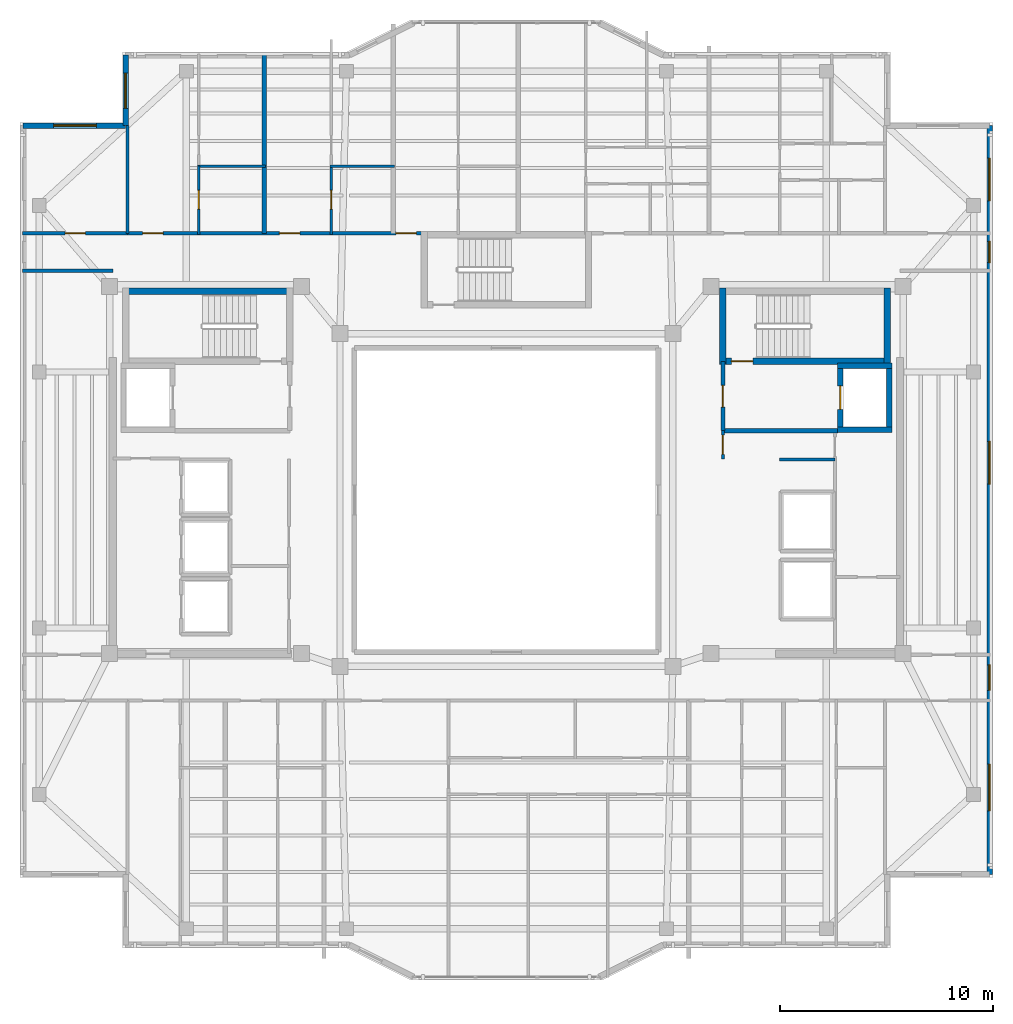
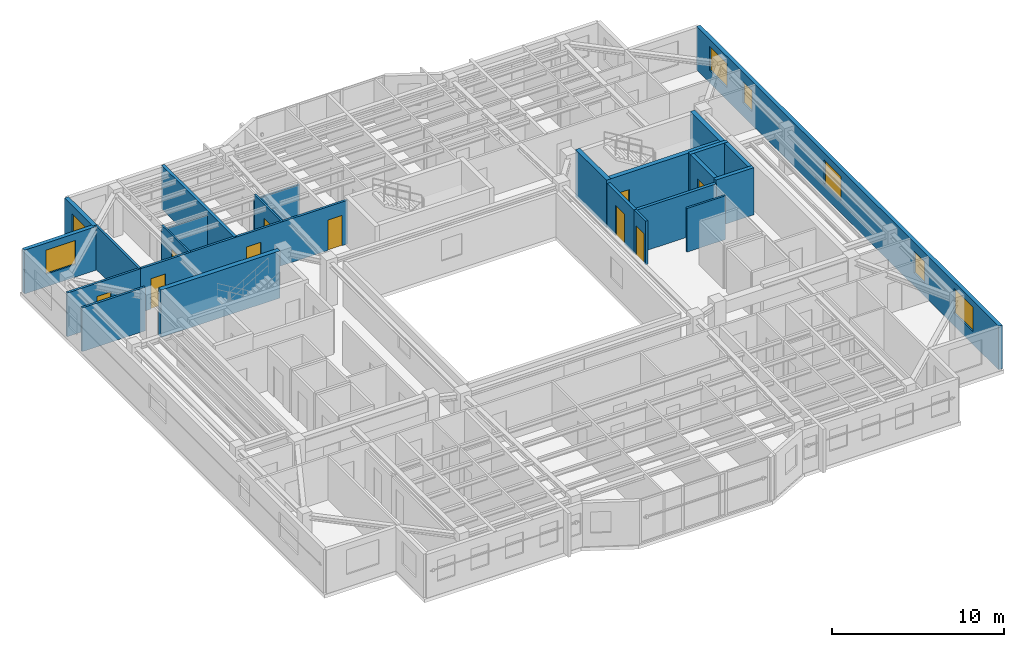
# One storey, part 9 of 14: 24 walls, 10 doors, 7 windows, 17 openings.
"""IFC4 building model written with IfcOpenShell, lengths in metres."""

from ifc_helpers import new_model, si_unit, direction, frame, frame_2d, origin, place, context, subcontext, project, spatial, rectangle, extrude, material, layer, layer_set, type_object, element, fill, save


model = new_model("IFC4")

# Units and contexts
model_context = context("Model", 3, precision=1e-05, world=origin(), true_north=direction((0.0, 1.0)))
body_context = subcontext(model_context, "Body", "Model", "MODEL_VIEW")
ifc_project = project(units=[si_unit("LENGTHUNIT", "METRE"), si_unit("AREAUNIT", "SQUARE_METRE"), si_unit("VOLUMEUNIT", "CUBIC_METRE"), si_unit("PLANEANGLEUNIT", "RADIAN"), si_unit("MASSUNIT", "GRAM", prefix="KILO")], contexts=[model_context])

# Site, building, storey
site_placement = place(None, origin())
site = spatial("IfcSite", under=ifc_project, at=site_placement, CompositionType="ELEMENT")
building_placement = place(site_placement, origin())
building = spatial("IfcBuilding", under=site, at=building_placement, Name="Tarnavaz Court Tower", CompositionType="ELEMENT")
storey_placement = place(building_placement, frame((0.0, 0.0, 264.949951171875)))
storey = spatial("IfcBuildingStorey", under=building, at=storey_placement, Name="L72", CompositionType="ELEMENT", Elevation=264.949951171875)

# Wall, opening, door
ifc_material_1 = material(Name="Concrete C50/60", Category="concrete")
ifc_layer_1 = layer(ifc_material_1, 0.25)
ifc_layer_set_1 = layer_set([ifc_layer_1], Name="Concrete C50/60")
wall_type_1 = type_object("IfcWallType", Name="WL-CORE-250-C50", PredefinedType="SHEAR", material=ifc_layer_set_1)
wall_1_placement = place(storey_placement, frame((15.64990234375, 3.175048828125, 0.0), z_axis=(0.0, 0.0, 1.0), x_axis=(0.0, 1.0, 0.0)))
wall_1 = element("IfcWall", 1, at=wall_1_placement, inside=storey, type_object=wall_type_1, Name="L72 Lift FL-E1 Shaft Wall 033", PredefinedType="SHEAR", context=body_context, shape_type="SweptSolid", body=[
    extrude(rectangle(XDim=3.25, YDim=0.25, at=frame_2d((1.625, 0.0))), origin(), (0.0, 0.0, 1.0), 3.35009765625),
])
opening_1_placement = place(wall_1_placement, frame((1.074951171875, 0.0, 0.0)))
opening_1 = element("IfcOpeningElement", 2, at=opening_1_placement, cuts=wall_1, Name="Opening LD1", PredefinedType="OPENING", context=body_context, shape_type="SweptSolid", body=[
    extrude(rectangle(XDim=1.10009765625, YDim=2.14990234375, at=frame_2d((0.550048828125, 1.074951171875))), frame((0.0, 0.135009765625, 0.0), z_axis=(0.0, -1.0, 0.0), x_axis=(1.0, 0.0, 0.0)), (0.0, 0.0, 1.0), 0.27001953125),
])
ifc_material_2 = material(Name="Stainless Steel", Category="steel")
door_type_1 = type_object("IfcDoorType", Name="DR-LD-1100", OperationType="NOTDEFINED", PredefinedType="DOOR", material=ifc_material_2)
door_1_placement = place(opening_1_placement, origin())
door_1 = element("IfcDoor", 3, at=door_1_placement, inside=storey, type_object=door_type_1, Name="L72 Lift Landing Door LD-FL-E1", OperationType="SLIDING_TO_LEFT", OverallHeight=2.14990234375, OverallWidth=1.10009765625, PredefinedType="DOOR", context=body_context, shape_type="SweptSolid", body=[
    extrude(rectangle(XDim=1.10009765625, YDim=2.14990234375, at=frame_2d((0.550048828125, 1.074951171875))), frame((0.0, 0.02490234375, 0.0), z_axis=(0.0, -1.0, 0.0), x_axis=(1.0, 0.0, 0.0)), (0.0, 0.0, 1.0), 0.050048828125),
])
fill(opening_1, door_1)

# Walls
wall_2_placement = place(storey_placement, frame((17.949951171875, 3.175048828125, 0.0), z_axis=(0.0, 0.0, 1.0), x_axis=(0.0, 1.0, 0.0)))
element("IfcWall", 4, at=wall_2_placement, inside=storey, type_object=wall_type_1, Name="L72 Lift FL-E1 Shaft Wall 034", PredefinedType="SHEAR", context=body_context, shape_type="SweptSolid", body=[
    extrude(rectangle(XDim=3.25, YDim=0.25, at=frame_2d((1.625, 0.0))), origin(), (0.0, 0.0, 1.0), 3.35009765625),
])
for number, where, z_axis, x_axis, name in (
    (5, (15.52490234375, 3.300048828125, 0.0), (0.0, 0.0, 1.0), (1.0, 0.0, 0.0), "L72 Lift FL-E1 Shaft Wall 035"),
    (6, (15.52490234375, 6.300048828125, 0.0), (0.0, 0.0, 1.0), (1.0, 0.0, 0.0), "L72 Lift FL-E1 Shaft Wall 036"),
):
    element("IfcWall", number, at=place(storey_placement, frame(where, z_axis=z_axis, x_axis=x_axis)), inside=storey, type_object=wall_type_1, Name=name, PredefinedType="SHEAR", context=body_context, shape_type="SweptSolid", body=[
        extrude(rectangle(XDim=2.550048828125, YDim=0.25, at=frame_2d((1.27490234375, 0.0))), origin(), (0.0, 0.0, 1.0), 3.35009765625),
    ])
ifc_layer_2 = layer(ifc_material_1, 0.300048828125)
ifc_layer_set_2 = layer_set([ifc_layer_2], Name="Concrete C50/60")
wall_type_2 = type_object("IfcWallType", Name="WL-CORE-300-C50", PredefinedType="SHEAR", material=ifc_layer_set_2)
wall_3_placement = place(storey_placement, frame((-18.0, 9.7900390625, 0.0), z_axis=(0.0, 0.0, 1.0), x_axis=(1.0, 0.0, 0.0)))
element("IfcWall", 7, at=wall_3_placement, inside=storey, type_object=wall_type_2, Name="L72 West Stair Core Wall 001", PredefinedType="SHEAR", context=body_context, shape_type="SweptSolid", body=[
    extrude(rectangle(XDim=8.0, YDim=0.300048828125, at=frame_2d((4.0, 0.0))), origin(), (0.0, 0.0, 1.0), 3.35009765625),
])

# Wall, opening, door
wall_4_placement = place(storey_placement, frame((10.0, 6.5, 0.0), z_axis=(0.0, 0.0, 1.0), x_axis=(1.0, 0.0, 0.0)))
wall_4 = element("IfcWall", 8, at=wall_4_placement, inside=storey, type_object=wall_type_2, Name="L72 East Stair Core Wall 006", PredefinedType="SHEAR", context=body_context, shape_type="SweptSolid", body=[
    extrude(rectangle(XDim=8.0, YDim=0.300048828125, at=frame_2d((4.0, 0.0))), origin(), (0.0, 0.0, 1.0), 3.35009765625),
])
opening_2_placement = place(wall_4_placement, frame((0.550048828125, 0.0, 0.0)))
opening_2 = element("IfcOpeningElement", 9, at=opening_2_placement, cuts=wall_4, Name="Opening D01", PredefinedType="OPENING", context=body_context, shape_type="SweptSolid", body=[
    extrude(rectangle(XDim=1.0, YDim=2.14990234375, at=frame_2d((0.5, 1.074951171875))), frame((0.0, 0.159912109375, 0.0), z_axis=(0.0, -1.0, 0.0), x_axis=(1.0, 0.0, 0.0)), (0.0, 0.0, 1.0), 0.320068359375),
])
ifc_material_3 = material(Name="Fire-Rated Hardwood Timber Core", Category="wood")
door_type_2 = type_object("IfcDoorType", Name="DR-FD90-1000", OperationType="NOTDEFINED", PredefinedType="DOOR", material=ifc_material_3)
door_2_placement = place(opening_2_placement, origin())
door_2 = element("IfcDoor", 10, at=door_2_placement, inside=storey, type_object=door_type_2, Name="L72 Stair ST-E1 Exit Door", OperationType="SINGLE_SWING_RIGHT", OverallHeight=2.14990234375, OverallWidth=1.0, PredefinedType="DOOR", context=body_context, shape_type="SweptSolid", body=[
    extrude(rectangle(XDim=1.0, YDim=2.14990234375, at=frame_2d((0.5, 1.074951171875))), frame((0.0, 0.02490234375, 0.0), z_axis=(0.0, -1.0, 0.0), x_axis=(1.0, 0.0, 0.0)), (0.0, 0.0, 1.0), 0.050048828125),
])
fill(opening_2, door_2)

# Walls
for number, where, z_axis, x_axis, name in (
    (11, (10.14990234375, 6.35009765625, 0.0), (0.0, 0.0, 1.0), (0.0, 1.0, 0.0), "L72 East Stair Core Wall 007"),
    (12, (17.85009765625, 6.35009765625, 0.0), (0.0, 0.0, 1.0), (0.0, 1.0, 0.0), "L72 East Stair Core Wall 008"),
):
    element("IfcWall", number, at=place(storey_placement, frame(where, z_axis=z_axis, x_axis=x_axis)), inside=storey, type_object=wall_type_2, Name=name, PredefinedType="SHEAR", context=body_context, shape_type="SweptSolid", body=[
        extrude(rectangle(XDim=3.58984375, YDim=0.300048828125, at=frame_2d((1.794921875, 0.0))), origin(), (0.0, 0.0, 1.0), 3.35009765625),
    ])

# Wall, opening, window
ifc_material_4 = material(Name="Precast Concrete C40/50", Category="concrete")
ifc_layer_3 = layer(ifc_material_4, 0.260009765625)
ifc_layer_set_3 = layer_set([ifc_layer_3], Name="Precast Concrete C40/50")
wall_type_3 = type_object("IfcWallType", Name="WL-EXT-260", PredefinedType="SOLIDWALL", material=ifc_layer_set_3)
wall_5_placement = place(storey_placement, frame((-22.64990234375, 17.550048828125, 0.0), z_axis=(0.0, 0.0, 1.0), x_axis=(1.0, 0.0, 0.0)))
wall_5 = element("IfcWall", 13, at=wall_5_placement, inside=storey, type_object=wall_type_3, Name="L72 Exterior Terracotta Facade Wall 03", PredefinedType="SOLIDWALL", context=body_context, shape_type="SweptSolid", body=[
    extrude(rectangle(XDim=4.7998046875, YDim=0.260009765625, at=frame_2d((2.39990234375, 0.0))), origin(), (0.0, 0.0, 1.0), 3.10009765625),
])
opening_3_placement = place(wall_5_placement, frame((1.42529296875, 0.0, 0.89990234375)))
opening_3 = element("IfcOpeningElement", 14, at=opening_3_placement, cuts=wall_5, Name="Opening W08", PredefinedType="OPENING", context=body_context, shape_type="SweptSolid", body=[
    extrude(rectangle(XDim=2.0, YDim=1.699951171875, at=frame_2d((1.0, 0.85009765625))), frame((0.0, 0.139892578125, 0.0), z_axis=(0.0, -1.0, 0.0), x_axis=(1.0, 0.0, 0.0)), (0.0, 0.0, 1.0), 0.280029296875),
])
ifc_material_5 = material(Name="Double-Glazed Solar Low-E Glass", Category="glass")
window_type_1 = type_object("IfcWindowType", Name="WN-APT-2000", PartitioningType="DOUBLE_PANEL_VERTICAL", PredefinedType="WINDOW", material=ifc_material_5)
window_1_placement = place(opening_3_placement, origin())
window_1 = element("IfcWindow", 15, at=window_1_placement, inside=storey, type_object=window_type_1, Name="L72 North-West Corner Sunroom Study Window", OverallHeight=1.699951171875, OverallWidth=2.0, PartitioningType="SINGLE_PANEL", PredefinedType="WINDOW", context=body_context, shape_type="SweptSolid", body=[
    extrude(rectangle(XDim=2.0, YDim=1.699951171875, at=frame_2d((1.0, 0.85009765625))), frame((0.0, 0.030029296875, 0.0), z_axis=(0.0, -1.0, 0.0), x_axis=(1.0, 0.0, 0.0)), (0.0, 0.0, 1.0), 0.06005859375),
])
fill(opening_3, window_1)

wall_6_placement = place(storey_placement, frame((-17.85009765625, 17.550048828125, 0.0), z_axis=(0.0, 0.0, 1.0), x_axis=(0.0, 1.0, 0.0)))
wall_6 = element("IfcWall", 16, at=wall_6_placement, inside=storey, type_object=wall_type_3, Name="L72 Exterior Terracotta Facade Wall 04", PredefinedType="SOLIDWALL", context=body_context, shape_type="SweptSolid", body=[
    extrude(rectangle(XDim=3.300048828125, YDim=0.260009765625, at=frame_2d((1.64990234375, 0.0))), origin(), (0.0, 0.0, 1.0), 3.10009765625),
])
opening_4_placement = place(wall_6_placement, frame((0.8076171875, 0.0, 0.89990234375)))
opening_4 = element("IfcOpeningElement", 17, at=opening_4_placement, cuts=wall_6, Name="Opening W02", PredefinedType="OPENING", context=body_context, shape_type="SweptSolid", body=[
    extrude(rectangle(XDim=1.64990234375, YDim=1.60009765625, at=frame_2d((0.824951171875, 0.800048828125))), frame((0.0, 0.139892578125, 0.0), z_axis=(0.0, -1.0, 0.0), x_axis=(1.0, 0.0, 0.0)), (0.0, 0.0, 1.0), 0.280029296875),
])
window_type_2 = type_object("IfcWindowType", Name="WN-APT-1650", PartitioningType="DOUBLE_PANEL_VERTICAL", PredefinedType="WINDOW", material=ifc_material_5)
window_2_placement = place(opening_4_placement, origin())
window_2 = element("IfcWindow", 18, at=window_2_placement, inside=storey, type_object=window_type_2, Name="L72 Flat 01 Studio Living and Sleeping Room Window", OverallHeight=1.60009765625, OverallWidth=1.64990234375, PartitioningType="SINGLE_PANEL", PredefinedType="WINDOW", context=body_context, shape_type="SweptSolid", body=[
    extrude(rectangle(XDim=1.64990234375, YDim=1.60009765625, at=frame_2d((0.824951171875, 0.800048828125))), frame((0.0, 0.030029296875, 0.0), z_axis=(0.0, -1.0, 0.0), x_axis=(1.0, 0.0, 0.0)), (0.0, 0.0, 1.0), 0.06005859375),
])
fill(opening_4, window_2)

# Wall, openings, windows
wall_7_placement = place(storey_placement, frame((22.64990234375, 17.550048828125, 0.0), z_axis=(0.0, 0.0, 1.0), x_axis=(0.0, -1.0, 0.0)))
wall_7 = element("IfcWall", 19, at=wall_7_placement, inside=storey, type_object=wall_type_3, Name="L72 Exterior Terracotta Facade Wall 12", PredefinedType="SOLIDWALL", context=body_context, shape_type="SweptSolid", body=[
    extrude(rectangle(XDim=35.10009765625, YDim=0.260009765625, at=frame_2d((17.550048828125, 0.0))), origin(), (0.0, 0.0, 1.0), 3.10009765625),
])
opening_5_placement = place(wall_7_placement, frame((1.52490234375, 0.0, 0.89990234375)))
opening_5 = element("IfcOpeningElement", 20, at=opening_5_placement, cuts=wall_7, Name="Opening W08", PredefinedType="OPENING", context=body_context, shape_type="SweptSolid", body=[
    extrude(rectangle(XDim=2.0, YDim=1.699951171875, at=frame_2d((1.0, 0.85009765625))), frame((0.0, 0.139892578125, 0.0), z_axis=(0.0, -1.0, 0.0), x_axis=(1.0, 0.0, 0.0)), (0.0, 0.0, 1.0), 0.280029296875),
])
opening_6_placement = place(wall_7_placement, frame((5.425048828125, 0.0, 0.949951171875)))
opening_6 = element("IfcOpeningElement", 21, at=opening_6_placement, cuts=wall_7, Name="Opening W14", PredefinedType="OPENING", context=body_context, shape_type="SweptSolid", body=[
    extrude(rectangle(XDim=1.0, YDim=1.5, at=frame_2d((0.5, 0.75))), frame((0.0, 0.139892578125, 0.0), z_axis=(0.0, -1.0, 0.0), x_axis=(1.0, 0.0, 0.0)), (0.0, 0.0, 1.0), 0.280029296875),
])
opening_7_placement = place(wall_7_placement, frame((14.800048828125, 0.0, 0.89990234375)))
opening_7 = element("IfcOpeningElement", 22, at=opening_7_placement, cuts=wall_7, Name="Opening W08", PredefinedType="OPENING", context=body_context, shape_type="SweptSolid", body=[
    extrude(rectangle(XDim=2.0, YDim=1.699951171875, at=frame_2d((1.0, 0.85009765625))), frame((0.0, 0.139892578125, 0.0), z_axis=(0.0, -1.0, 0.0), x_axis=(1.0, 0.0, 0.0)), (0.0, 0.0, 1.0), 0.280029296875),
])
opening_8_placement = place(wall_7_placement, frame((25.27490234375, 0.0, 0.949951171875)))
opening_8 = element("IfcOpeningElement", 23, at=opening_8_placement, cuts=wall_7, Name="Opening W05", PredefinedType="OPENING", context=body_context, shape_type="SweptSolid", body=[
    extrude(rectangle(XDim=1.199951171875, YDim=1.5, at=frame_2d((0.60009765625, 0.75))), frame((0.0, 0.139892578125, 0.0), z_axis=(0.0, -1.0, 0.0), x_axis=(1.0, 0.0, 0.0)), (0.0, 0.0, 1.0), 0.280029296875),
])
opening_9_placement = place(wall_7_placement, frame((29.925048828125, 0.0, 0.89990234375)))
opening_9 = element("IfcOpeningElement", 24, at=opening_9_placement, cuts=wall_7, Name="Opening W07", PredefinedType="OPENING", context=body_context, shape_type="SweptSolid", body=[
    extrude(rectangle(XDim=2.199951171875, YDim=1.75, at=frame_2d((1.10009765625, 0.875))), frame((0.0, 0.139892578125, 0.0), z_axis=(0.0, -1.0, 0.0), x_axis=(1.0, 0.0, 0.0)), (0.0, 0.0, 1.0), 0.280029296875),
])
window_type_3 = type_object("IfcWindowType", Name="WN-APT-1000", PartitioningType="SINGLE_PANEL", PredefinedType="WINDOW", material=ifc_material_5)
window_3_placement = place(opening_6_placement, origin())
window_3 = element("IfcWindow", 25, at=window_3_placement, inside=storey, type_object=window_type_3, Name="L72 North-East Corner Corridor Window", OverallHeight=1.5, OverallWidth=1.0, PartitioningType="SINGLE_PANEL", PredefinedType="WINDOW", context=body_context, shape_type="SweptSolid", body=[
    extrude(rectangle(XDim=1.0, YDim=1.5, at=frame_2d((0.5, 0.75))), frame((0.0, 0.030029296875, 0.0), z_axis=(0.0, -1.0, 0.0), x_axis=(1.0, 0.0, 0.0)), (0.0, 0.0, 1.0), 0.06005859375),
])
fill(opening_6, window_3)
window_type_4 = type_object("IfcWindowType", Name="WN-APT-1200", PartitioningType="SINGLE_PANEL", PredefinedType="WINDOW", material=ifc_material_5)
window_4_placement = place(opening_8_placement, origin())
window_4 = element("IfcWindow", 26, at=window_4_placement, inside=storey, type_object=window_type_4, Name="L72 South-East Corner Corridor Window", OverallHeight=1.5, OverallWidth=1.199951171875, PartitioningType="SINGLE_PANEL", PredefinedType="WINDOW", context=body_context, shape_type="SweptSolid", body=[
    extrude(rectangle(XDim=1.199951171875, YDim=1.5, at=frame_2d((0.60009765625, 0.75))), frame((0.0, 0.030029296875, 0.0), z_axis=(0.0, -1.0, 0.0), x_axis=(1.0, 0.0, 0.0)), (0.0, 0.0, 1.0), 0.06005859375),
])
fill(opening_8, window_4)
window_5_placement = place(opening_5_placement, origin())
window_5 = element("IfcWindow", 27, at=window_5_placement, inside=storey, type_object=window_type_1, Name="L72 North-East Corner Sunroom Study Window", OverallHeight=1.699951171875, OverallWidth=2.0, PartitioningType="SINGLE_PANEL", PredefinedType="WINDOW", context=body_context, shape_type="SweptSolid", body=[
    extrude(rectangle(XDim=2.0, YDim=1.699951171875, at=frame_2d((1.0, 0.85009765625))), frame((0.0, 0.030029296875, 0.0), z_axis=(0.0, -1.0, 0.0), x_axis=(1.0, 0.0, 0.0)), (0.0, 0.0, 1.0), 0.06005859375),
])
fill(opening_5, window_5)
window_6_placement = place(opening_7_placement, origin())
window_6 = element("IfcWindow", 28, at=window_6_placement, inside=storey, type_object=window_type_1, Name="L72 East Wing Resident Fitness Lounge Window", OverallHeight=1.699951171875, OverallWidth=2.0, PartitioningType="SINGLE_PANEL", PredefinedType="WINDOW", context=body_context, shape_type="SweptSolid", body=[
    extrude(rectangle(XDim=2.0, YDim=1.699951171875, at=frame_2d((1.0, 0.85009765625))), frame((0.0, 0.030029296875, 0.0), z_axis=(0.0, -1.0, 0.0), x_axis=(1.0, 0.0, 0.0)), (0.0, 0.0, 1.0), 0.06005859375),
])
fill(opening_7, window_6)
window_type_5 = type_object("IfcWindowType", Name="WN-APT-2200", PartitioningType="TRIPLE_PANEL_VERTICAL", PredefinedType="WINDOW", material=ifc_material_5)
window_7_placement = place(opening_9_placement, origin())
window_7 = element("IfcWindow", 29, at=window_7_placement, inside=storey, type_object=window_type_5, Name="L72 South-East Corner Reading Room Window", OverallHeight=1.75, OverallWidth=2.199951171875, PartitioningType="SINGLE_PANEL", PredefinedType="WINDOW", context=body_context, shape_type="SweptSolid", body=[
    extrude(rectangle(XDim=2.199951171875, YDim=1.75, at=frame_2d((1.10009765625, 0.875))), frame((0.0, 0.030029296875, 0.0), z_axis=(0.0, -1.0, 0.0), x_axis=(1.0, 0.0, 0.0)), (0.0, 0.0, 1.0), 0.06005859375),
])
fill(opening_9, window_7)

# Wall, openings, doors
ifc_material_6 = material(Name="Gypsum Fire-Board on Acoustic Metal Stud", Category="masonry")
ifc_layer_4 = layer(ifc_material_6, 0.14990234375)
ifc_layer_set_4 = layer_set([ifc_layer_4], Name="Gypsum Fire-Board on Acoustic Metal Stud")
wall_type_4 = type_object("IfcWallType", Name="WL-FIRE-150", PredefinedType="PARTITIONING", material=ifc_layer_set_4)
wall_8_placement = place(storey_placement, frame((-17.75, 12.5, 0.0), z_axis=(0.0, 0.0, 1.0), x_axis=(1.0, 0.0, 0.0)))
wall_8 = element("IfcWall", 30, at=wall_8_placement, inside=storey, type_object=wall_type_4, Name="L72 NW Wing Corridor Wall 056", PredefinedType="PARTITIONING", context=body_context, shape_type="SweptSolid", body=[
    extrude(rectangle(XDim=13.89990234375, YDim=0.14990234375, at=frame_2d((6.949951171875, 0.0))), origin(), (0.0, 0.0, 1.0), 3.10009765625),
])
opening_10_placement = place(wall_8_placement, frame((0.699951171875, 0.0, 0.0)))
opening_10 = element("IfcOpeningElement", 31, at=opening_10_placement, cuts=wall_8, Name="Opening D06", PredefinedType="OPENING", context=body_context, shape_type="SweptSolid", body=[
    extrude(rectangle(XDim=0.9599609375, YDim=2.14990234375, at=frame_2d((0.47998046875, 1.074951171875))), frame((0.0, 0.0849609375, 0.0), z_axis=(0.0, -1.0, 0.0), x_axis=(1.0, 0.0, 0.0)), (0.0, 0.0, 1.0), 0.169921875),
])
opening_11_placement = place(wall_8_placement, frame((7.10498046875, 0.0, 0.0)))
opening_11 = element("IfcOpeningElement", 32, at=opening_11_placement, cuts=wall_8, Name="Opening D06", PredefinedType="OPENING", context=body_context, shape_type="SweptSolid", body=[
    extrude(rectangle(XDim=0.9599609375, YDim=2.14990234375, at=frame_2d((0.47998046875, 1.074951171875))), frame((0.0, 0.0849609375, 0.0), z_axis=(0.0, -1.0, 0.0), x_axis=(1.0, 0.0, 0.0)), (0.0, 0.0, 1.0), 0.169921875),
])
opening_12_placement = place(wall_8_placement, frame((12.570068359375, 0.0, 0.0)))
opening_12 = element("IfcOpeningElement", 33, at=opening_12_placement, cuts=wall_8, Name="Opening D06", PredefinedType="OPENING", context=body_context, shape_type="SweptSolid", body=[
    extrude(rectangle(XDim=0.9599609375, YDim=2.14990234375, at=frame_2d((0.47998046875, 1.074951171875))), frame((0.0, 0.0849609375, 0.0), z_axis=(0.0, -1.0, 0.0), x_axis=(1.0, 0.0, 0.0)), (0.0, 0.0, 1.0), 0.169921875),
])
door_type_3 = type_object("IfcDoorType", Name="DR-FD60-950", OperationType="NOTDEFINED", PredefinedType="DOOR", material=ifc_material_3)
door_3_placement = place(opening_10_placement, origin())
door_3 = element("IfcDoor", 34, at=door_3_placement, inside=storey, type_object=door_type_3, Name="L72 Flat 01 Entrance Door", OperationType="SINGLE_SWING_RIGHT", OverallHeight=2.14990234375, OverallWidth=0.9599609375, PredefinedType="DOOR", context=body_context, shape_type="SweptSolid", body=[
    extrude(rectangle(XDim=0.9599609375, YDim=2.14990234375, at=frame_2d((0.47998046875, 1.074951171875))), frame((0.0, 0.02490234375, 0.0), z_axis=(0.0, -1.0, 0.0), x_axis=(1.0, 0.0, 0.0)), (0.0, 0.0, 1.0), 0.050048828125),
])
fill(opening_10, door_3)
door_4_placement = place(opening_11_placement, origin())
door_4 = element("IfcDoor", 35, at=door_4_placement, inside=storey, type_object=door_type_3, Name="L72 Flat 02 Entrance Door", OperationType="SINGLE_SWING_LEFT", OverallHeight=2.14990234375, OverallWidth=0.9599609375, PredefinedType="DOOR", context=body_context, shape_type="SweptSolid", body=[
    extrude(rectangle(XDim=0.9599609375, YDim=2.14990234375, at=frame_2d((0.47998046875, 1.074951171875))), frame((0.0, 0.02490234375, 0.0), z_axis=(0.0, -1.0, 0.0), x_axis=(1.0, 0.0, 0.0)), (0.0, 0.0, 1.0), 0.050048828125),
])
fill(opening_11, door_4)
door_5_placement = place(opening_12_placement, origin())
door_5 = element("IfcDoor", 36, at=door_5_placement, inside=storey, type_object=door_type_3, Name="L72 Flat 03 Entrance Door", OperationType="SINGLE_SWING_RIGHT", OverallHeight=2.14990234375, OverallWidth=0.9599609375, PredefinedType="DOOR", context=body_context, shape_type="SweptSolid", body=[
    extrude(rectangle(XDim=0.9599609375, YDim=2.14990234375, at=frame_2d((0.47998046875, 1.074951171875))), frame((0.0, 0.02490234375, 0.0), z_axis=(0.0, -1.0, 0.0), x_axis=(1.0, 0.0, 0.0)), (0.0, 0.0, 1.0), 0.050048828125),
])
fill(opening_12, door_5)

# Wall
wall_9_placement = place(storey_placement, frame((-22.679931640625, 10.75, 0.0), z_axis=(0.0, 0.0, 1.0), x_axis=(1.0, 0.0, 0.0)))
element("IfcWall", 37, at=wall_9_placement, inside=storey, type_object=wall_type_4, Name="L72 Interior Partition 110", PredefinedType="PARTITIONING", context=body_context, shape_type="SweptSolid", body=[
    extrude(rectangle(XDim=4.22998046875, YDim=0.14990234375, at=frame_2d((2.114990234375, 0.0))), origin(), (0.0, 0.0, 1.0), 3.10009765625),
])

# Wall, opening, door
wall_10_placement = place(storey_placement, frame((-22.679931640625, 12.5, 0.0), z_axis=(0.0, 0.0, 1.0), x_axis=(1.0, 0.0, 0.0)))
wall_10 = element("IfcWall", 38, at=wall_10_placement, inside=storey, type_object=wall_type_4, Name="L72 Interior Partition 117", PredefinedType="PARTITIONING", context=body_context, shape_type="SweptSolid", body=[
    extrude(rectangle(XDim=4.929931640625, YDim=0.14990234375, at=frame_2d((2.46484375, 0.0))), origin(), (0.0, 0.0, 1.0), 3.10009765625),
])
opening_13_placement = place(wall_10_placement, frame((1.989990234375, 0.0, 0.0)))
opening_13 = element("IfcOpeningElement", 39, at=opening_13_placement, cuts=wall_10, Name="Opening D13", PredefinedType="OPENING", context=body_context, shape_type="SweptSolid", body=[
    extrude(rectangle(XDim=0.949951171875, YDim=2.14990234375, at=frame_2d((0.47509765625, 1.074951171875))), frame((0.0, 0.0849609375, 0.0), z_axis=(0.0, -1.0, 0.0), x_axis=(1.0, 0.0, 0.0)), (0.0, 0.0, 1.0), 0.169921875),
])
ifc_material_7 = material(Name="Engineered Oak Timber", Category="wood")
door_type_4 = type_object("IfcDoorType", Name="DR-INT-950", OperationType="NOTDEFINED", PredefinedType="DOOR", material=ifc_material_7)
door_6_placement = place(opening_13_placement, origin())
door_6 = element("IfcDoor", 40, at=door_6_placement, inside=storey, type_object=door_type_4, Name="L72 NW Sunroom Door", OperationType="SINGLE_SWING_RIGHT", OverallHeight=2.14990234375, OverallWidth=0.949951171875, PredefinedType="DOOR", context=body_context, shape_type="SweptSolid", body=[
    extrude(rectangle(XDim=0.949951171875, YDim=2.14990234375, at=frame_2d((0.47509765625, 1.074951171875))), frame((0.0, 0.02490234375, 0.0), z_axis=(0.0, -1.0, 0.0), x_axis=(1.0, 0.0, 0.0)), (0.0, 0.0, 1.0), 0.050048828125),
])
fill(opening_13, door_6)

# Wall
ifc_material_8 = material(Name="Autoclaved Aerated Concrete Blockwork", Category="masonry")
ifc_layer_5 = layer(ifc_material_8, 0.199951171875)
ifc_layer_set_5 = layer_set([ifc_layer_5], Name="Autoclaved Aerated Concrete Blockwork")
wall_type_5 = type_object("IfcWallType", Name="WL-FIRE-200", PredefinedType="SOLIDWALL", material=ifc_layer_set_5)
wall_11_placement = place(storey_placement, frame((10.14990234375, 3.25, 0.0), z_axis=(0.0, 0.0, 1.0), x_axis=(1.0, 0.0, 0.0)))
element("IfcWall", 41, at=wall_11_placement, inside=storey, type_object=wall_type_5, Name="L72 East Firefighting Lobby Wall 015", PredefinedType="SOLIDWALL", context=body_context, shape_type="SweptSolid", body=[
    extrude(rectangle(XDim=5.400146484375, YDim=0.199951171875, at=frame_2d((2.7001953125, 0.0))), origin(), (0.0, 0.0, 1.0), 3.10009765625),
])

# Wall, opening, door
wall_12_placement = place(storey_placement, frame((10.14990234375, 3.25, 0.0), z_axis=(0.0, 0.0, 1.0), x_axis=(0.0, 1.0, 0.0)))
wall_12 = element("IfcWall", 42, at=wall_12_placement, inside=storey, type_object=wall_type_5, Name="L72 East Firefighting Lobby Wall 016", PredefinedType="SOLIDWALL", context=body_context, shape_type="SweptSolid", body=[
    extrude(rectangle(XDim=3.25, YDim=0.199951171875, at=frame_2d((1.625, 0.0))), origin(), (0.0, 0.0, 1.0), 3.10009765625),
])
opening_14_placement = place(wall_12_placement, frame((1.10009765625, 0.0, 0.0)))
opening_14 = element("IfcOpeningElement", 43, at=opening_14_placement, cuts=wall_12, Name="Opening D05", PredefinedType="OPENING", context=body_context, shape_type="SweptSolid", body=[
    extrude(rectangle(XDim=1.02001953125, YDim=2.14990234375, at=frame_2d((0.510009765625, 1.074951171875))), frame((0.0, 0.10986328125, 0.0), z_axis=(0.0, -1.0, 0.0), x_axis=(1.0, 0.0, 0.0)), (0.0, 0.0, 1.0), 0.219970703125),
])
door_type_5 = type_object("IfcDoorType", Name="DR-FD60-1000", OperationType="NOTDEFINED", PredefinedType="DOOR", material=ifc_material_3)
door_7_placement = place(opening_14_placement, origin())
door_7 = element("IfcDoor", 44, at=door_7_placement, inside=storey, type_object=door_type_5, Name="L72 East Firefighting Lobby Door", OperationType="SINGLE_SWING_LEFT", OverallHeight=2.14990234375, OverallWidth=1.02001953125, PredefinedType="DOOR", context=body_context, shape_type="SweptSolid", body=[
    extrude(rectangle(XDim=1.02001953125, YDim=2.14990234375, at=frame_2d((0.510009765625, 1.074951171875))), frame((0.0, 0.02490234375, 0.0), z_axis=(0.0, -1.0, 0.0), x_axis=(1.0, 0.0, 0.0)), (0.0, 0.0, 1.0), 0.050048828125),
])
fill(opening_14, door_7)

# Wall
wall_13_placement = place(storey_placement, frame((-11.344970703125, 12.5, 0.0), z_axis=(0.0, 0.0, 1.0), x_axis=(0.0, 1.0, 0.0)))
element("IfcWall", 45, at=wall_13_placement, inside=storey, type_object=wall_type_5, Name="L72 Party Wall 061", PredefinedType="SOLIDWALL", context=body_context, shape_type="SweptSolid", body=[
    extrude(rectangle(XDim=8.39990234375, YDim=0.199951171875, at=frame_2d((4.199951171875, 0.0))), origin(), (0.0, 0.0, 1.0), 3.10009765625),
])

# Wall, opening, door
ifc_material_9 = material(Name="Moisture-Resistant Gypsum Board Partition", Category="masonry")
ifc_layer_6 = layer(ifc_material_9, 0.1201171875)
ifc_layer_set_6 = layer_set([ifc_layer_6], Name="Moisture-Resistant Gypsum Board Partition")
wall_type_6 = type_object("IfcWallType", Name="WL-PART-120", PredefinedType="PARTITIONING", material=ifc_layer_set_6)
wall_14_placement = place(storey_placement, frame((-14.422119140625, 12.43994140625, 0.0), z_axis=(0.0, 0.0, 1.0), x_axis=(0.0, 1.0, 0.0)))
wall_14 = element("IfcWall", 46, at=wall_14_placement, inside=storey, type_object=wall_type_6, Name="L72 Interior Partition 062", PredefinedType="PARTITIONING", context=body_context, shape_type="SweptSolid", body=[
    extrude(rectangle(XDim=3.2099609375, YDim=0.1201171875, at=frame_2d((1.60498046875, 0.0))), origin(), (0.0, 0.0, 1.0), 3.10009765625),
])
opening_15_placement = place(wall_14_placement, frame((1.195068359375, 0.0, 0.0)))
opening_15 = element("IfcOpeningElement", 47, at=opening_15_placement, cuts=wall_14, Name="Opening D14", PredefinedType="OPENING", context=body_context, shape_type="SweptSolid", body=[
    extrude(rectangle(XDim=0.8798828125, YDim=2.10009765625, at=frame_2d((0.43994140625, 1.050048828125))), frame((0.0, 0.070068359375, 0.0), z_axis=(0.0, -1.0, 0.0), x_axis=(1.0, 0.0, 0.0)), (0.0, 0.0, 1.0), 0.14013671875),
])
door_type_6 = type_object("IfcDoorType", Name="DR-INT-900", OperationType="NOTDEFINED", PredefinedType="DOOR", material=ifc_material_7)
door_8_placement = place(opening_15_placement, origin())
door_8 = element("IfcDoor", 48, at=door_8_placement, inside=storey, type_object=door_type_6, Name="L72 Flat 01 Bathroom Door", OperationType="SINGLE_SWING_LEFT", OverallHeight=2.10009765625, OverallWidth=0.8798828125, PredefinedType="DOOR", context=body_context, shape_type="SweptSolid", body=[
    extrude(rectangle(XDim=0.8798828125, YDim=2.10009765625, at=frame_2d((0.43994140625, 1.050048828125))), frame((0.0, 0.02490234375, 0.0), z_axis=(0.0, -1.0, 0.0), x_axis=(1.0, 0.0, 0.0)), (0.0, 0.0, 1.0), 0.050048828125),
])
fill(opening_15, door_8)

# Wall
wall_15_placement = place(storey_placement, frame((-14.48193359375, 15.64990234375, 0.0), z_axis=(0.0, 0.0, 1.0), x_axis=(1.0, 0.0, 0.0)))
element("IfcWall", 49, at=wall_15_placement, inside=storey, type_object=wall_type_6, Name="L72 Interior Partition 064", PredefinedType="PARTITIONING", context=body_context, shape_type="SweptSolid", body=[
    extrude(rectangle(XDim=3.197021484375, YDim=0.1201171875, at=frame_2d((1.5986328125, 0.0))), origin(), (0.0, 0.0, 1.0), 2.78515625),
])

# Wall, opening, door
wall_16_placement = place(storey_placement, frame((-8.20703125, 12.43994140625, 0.0), z_axis=(0.0, 0.0, 1.0), x_axis=(0.0, 1.0, 0.0)))
wall_16 = element("IfcWall", 50, at=wall_16_placement, inside=storey, type_object=wall_type_6, Name="L72 Interior Partition 066", PredefinedType="PARTITIONING", context=body_context, shape_type="SweptSolid", body=[
    extrude(rectangle(XDim=3.2099609375, YDim=0.1201171875, at=frame_2d((1.60498046875, 0.0))), origin(), (0.0, 0.0, 1.0), 3.10009765625),
])
opening_16_placement = place(wall_16_placement, frame((1.195068359375, 0.0, 0.0)))
opening_16 = element("IfcOpeningElement", 51, at=opening_16_placement, cuts=wall_16, Name="Opening D14", PredefinedType="OPENING", context=body_context, shape_type="SweptSolid", body=[
    extrude(rectangle(XDim=0.8798828125, YDim=2.10009765625, at=frame_2d((0.43994140625, 1.050048828125))), frame((0.0, 0.070068359375, 0.0), z_axis=(0.0, -1.0, 0.0), x_axis=(1.0, 0.0, 0.0)), (0.0, 0.0, 1.0), 0.14013671875),
])
door_9_placement = place(opening_16_placement, origin())
door_9 = element("IfcDoor", 52, at=door_9_placement, inside=storey, type_object=door_type_6, Name="L72 Flat 02 Bathroom Door", OperationType="SINGLE_SWING_RIGHT", OverallHeight=2.10009765625, OverallWidth=0.8798828125, PredefinedType="DOOR", context=body_context, shape_type="SweptSolid", body=[
    extrude(rectangle(XDim=0.8798828125, YDim=2.10009765625, at=frame_2d((0.43994140625, 1.050048828125))), frame((0.0, 0.02490234375, 0.0), z_axis=(0.0, -1.0, 0.0), x_axis=(1.0, 0.0, 0.0)), (0.0, 0.0, 1.0), 0.050048828125),
])
fill(opening_16, door_9)

# Walls
wall_17_placement = place(storey_placement, frame((-8.26708984375, 15.64990234375, 0.0), z_axis=(0.0, 0.0, 1.0), x_axis=(1.0, 0.0, 0.0)))
element("IfcWall", 53, at=wall_17_placement, inside=storey, type_object=wall_type_6, Name="L72 Interior Partition 068", PredefinedType="PARTITIONING", context=body_context, shape_type="SweptSolid", body=[
    extrude(rectangle(XDim=3.02099609375, YDim=0.1201171875, at=frame_2d((1.510498046875, 0.0))), origin(), (0.0, 0.0, 1.0), 2.78515625),
])
ifc_material_10 = material(Name="Gypsum Plasterboard Acoustic Partition", Category="masonry")
ifc_layer_7 = layer(ifc_material_10, 0.139892578125)
ifc_layer_set_7 = layer_set([ifc_layer_7], Name="Gypsum Plasterboard Acoustic Partition")
wall_type_7 = type_object("IfcWallType", Name="WL-PART-150", PredefinedType="PARTITIONING", material=ifc_layer_set_7)
wall_18_placement = place(storey_placement, frame((12.800048828125, 1.89990234375, 0.0), z_axis=(0.0, 0.0, 1.0), x_axis=(1.0, 0.0, 0.0)))
element("IfcWall", 54, at=wall_18_placement, inside=storey, type_object=wall_type_7, Name="L72 Interior Partition 052", PredefinedType="PARTITIONING", context=body_context, shape_type="SweptSolid", body=[
    extrude(rectangle(XDim=2.599853515625, YDim=0.139892578125, at=frame_2d((1.2998046875, 0.0))), origin(), (0.0, 0.0, 1.0), 3.10009765625),
])

# Wall, opening, door
wall_19_placement = place(storey_placement, frame((10.14990234375, 1.919921875, 0.0), z_axis=(0.0, 0.0, 1.0), x_axis=(0.0, 1.0, 0.0)))
wall_19 = element("IfcWall", 55, at=wall_19_placement, inside=storey, type_object=wall_type_7, Name="L72 Interior Partition 053", PredefinedType="PARTITIONING", context=body_context, shape_type="SweptSolid", body=[
    extrude(rectangle(XDim=1.330078125, YDim=0.139892578125, at=frame_2d((0.6650390625, 0.0))), origin(), (0.0, 0.0, 1.0), 3.10009765625),
])
opening_17_placement = place(wall_19_placement, frame((0.219970703125, 0.0, 0.0)))
opening_17 = element("IfcOpeningElement", 56, at=opening_17_placement, cuts=wall_19, Name="Opening D09", PredefinedType="OPENING", context=body_context, shape_type="SweptSolid", body=[
    extrude(rectangle(XDim=0.89990234375, YDim=2.080078125, at=frame_2d((0.449951171875, 1.0400390625))), frame((0.0, 0.079833984375, 0.0), z_axis=(0.0, -1.0, 0.0), x_axis=(1.0, 0.0, 0.0)), (0.0, 0.0, 1.0), 0.159912109375),
])
door_type_7 = type_object("IfcDoorType", Name="DR-FD30-900", OperationType="NOTDEFINED", PredefinedType="DOOR", material=ifc_material_3)
door_10_placement = place(opening_17_placement, origin())
door_10 = element("IfcDoor", 57, at=door_10_placement, inside=storey, type_object=door_type_7, Name="L72 East Core Service Lobby Door", OperationType="SINGLE_SWING_LEFT", OverallHeight=2.080078125, OverallWidth=0.89990234375, PredefinedType="DOOR", context=body_context, shape_type="SweptSolid", body=[
    extrude(rectangle(XDim=0.89990234375, YDim=2.080078125, at=frame_2d((0.449951171875, 1.0400390625))), frame((0.0, 0.02490234375, 0.0), z_axis=(0.0, -1.0, 0.0), x_axis=(1.0, 0.0, 0.0)), (0.0, 0.0, 1.0), 0.050048828125),
])
fill(opening_17, door_10)

# Wall
wall_20_placement = place(storey_placement, frame((-17.75, 12.5, 0.0), z_axis=(0.0, 0.0, 1.0), x_axis=(0.0, 1.0, 0.0)))
element("IfcWall", 58, at=wall_20_placement, inside=storey, type_object=wall_type_7, Name="L72 Interior Partition 115", PredefinedType="PARTITIONING", context=body_context, shape_type="SweptSolid", body=[
    extrude(rectangle(XDim=5.050048828125, YDim=0.139892578125, at=frame_2d((2.52490234375, 0.0))), origin(), (0.0, 0.0, 1.0), 3.10009765625),
])

save(model, "model.ifc")
